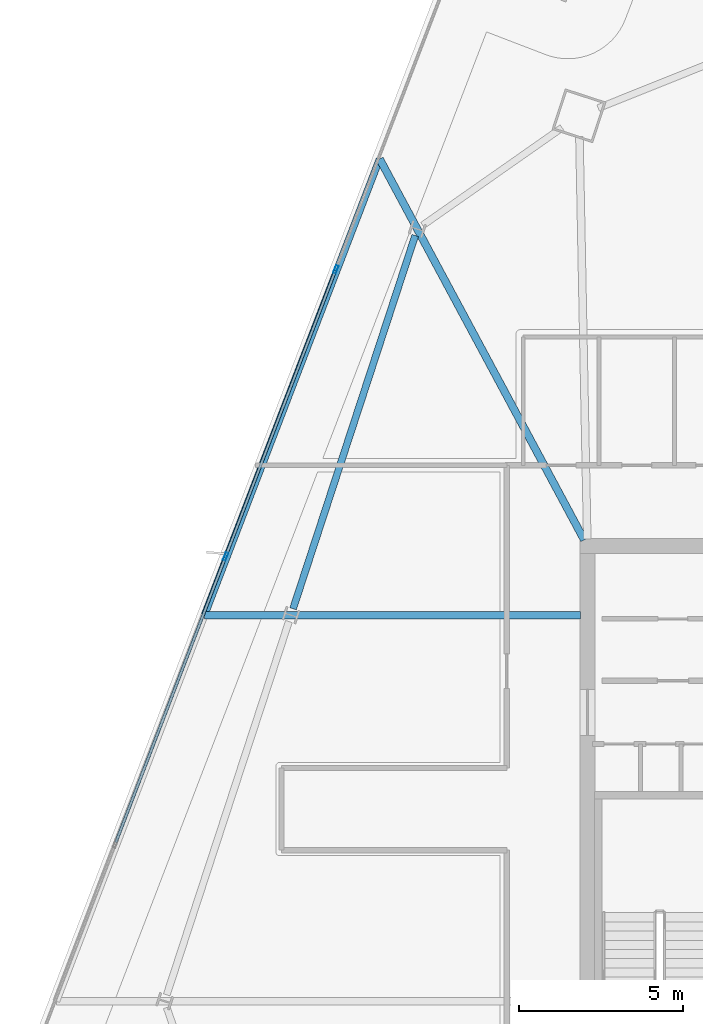
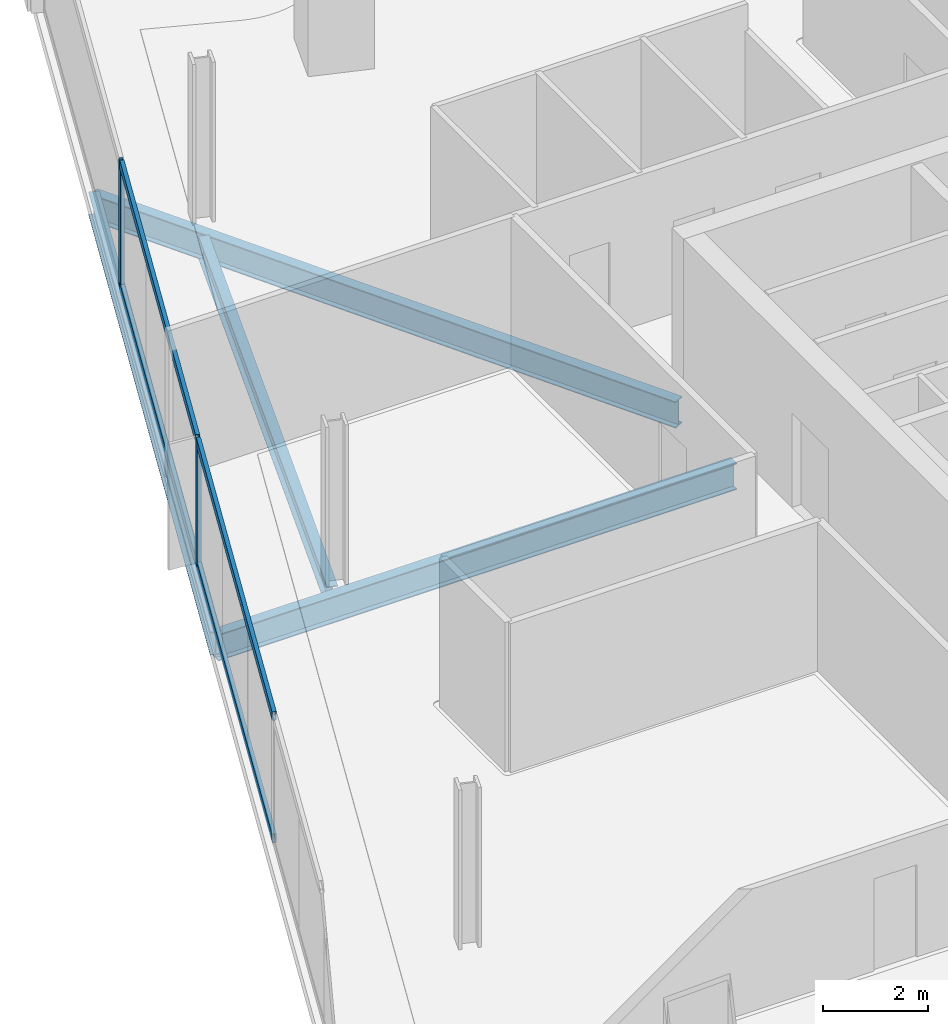
# One storey, part 12 of 27: 6 members, 4 beams, 1 element without a shape of its own.
"""IFC4 building model written with IfcOpenShell, lengths in metres."""

import ifcopenshell
import ifcopenshell.guid

model = None  # the IFC model being written
_history = None  # IfcOwnerHistory: only IFC2X3 demands one
_inside = {}  # id of a spatial element -> (the spatial element, [elements in it])
_under = {}  # id of a project, library or spatial element -> (it, [spatial elements below it])
_declared = {}  # id of a project -> (the project, [libraries it declares])
_typed = {}  # id of a type object -> (the type object, [elements of that type])
_made_of = {}  # id of a material, layer set ... -> (it, [elements and type objects made of it])


def new_model(schema):
    """Start an empty IFC model of exactly this schema.

    Asked for "IFC4X3", IfcOpenShell would pick the latest addendum, in which some entities
    have other attributes; the version numbers below select the first issue.
    IFC2X3 requires an IfcOwnerHistory on every rooted entity: one is made here for all.
    """
    global model, _history
    if schema == "IFC4X3":
        model = ifcopenshell.file(schema_version=(4, 3, 0, 0))
    else:
        model = ifcopenshell.file(schema=schema)
    _inside.clear()
    _under.clear()
    _declared.clear()
    _typed.clear()
    _made_of.clear()
    _history = None
    if model.schema == "IFC2X3":
        org = make("IfcOrganization", Name="unknown")
        user = make(
            "IfcPersonAndOrganization",
            ThePerson=make("IfcPerson", FamilyName="unknown"),
            TheOrganization=org,
        )
        app = make(
            "IfcApplication",
            ApplicationDeveloper=org,
            Version="unknown",
            ApplicationFullName="unknown",
            ApplicationIdentifier="unknown",
        )
        _history = make(
            "IfcOwnerHistory",
            OwningUser=user,
            OwningApplication=app,
            ChangeAction="ADDED",
            CreationDate=0,
        )
    return model


def make(cls, **values):
    """One entity of the class cls with the attributes given. An attribute that is None is left unset."""
    return model.create_entity(
        cls, **{name: value for name, value in values.items() if value is not None}
    )


def rooted(cls, **values):
    """An entity with a GlobalId (a new one), such as an element, a storey or a relation."""
    return make(cls, GlobalId=ifcopenshell.guid.new(), OwnerHistory=_history, **values)


def si_unit(unit_type, name, prefix=None):
    """IfcSIUnit, for example si_unit("LENGTHUNIT", "METRE", prefix="MILLI")."""
    return make("IfcSIUnit", UnitType=unit_type, Prefix=prefix, Name=name)


def assignment(units):
    """IfcUnitAssignment: the units of a project."""
    return None if units is None else make("IfcUnitAssignment", Units=units)


def point(xyz):
    """IfcCartesianPoint."""
    return None if xyz is None else make("IfcCartesianPoint", Coordinates=xyz)


def direction(xyz):
    """IfcDirection."""
    return None if xyz is None else make("IfcDirection", DirectionRatios=xyz)


def frame(location, z_axis=None, x_axis=None):
    """IfcAxis2Placement3D, a coordinate frame: its origin and axes. An axis left out is left unset."""
    return make(
        "IfcAxis2Placement3D",
        Location=point(location),
        Axis=direction(z_axis),
        RefDirection=direction(x_axis),
    )


def frame_2d(location, x_axis=None):
    """IfcAxis2Placement2D, a coordinate frame in the plane: its origin and x axis."""
    return make(
        "IfcAxis2Placement2D", Location=point(location), RefDirection=direction(x_axis)
    )


def origin():
    """The frame at (0, 0, 0) with its axes left unset."""
    return frame((0.0, 0.0, 0.0))


def origin_2d():
    """The frame at (0, 0) in the plane with its x axis left unset."""
    return frame_2d((0.0, 0.0))


def place(relative_to, where):
    """IfcLocalPlacement: puts the frame where relative to a parent placement (None: the world)."""
    return make(
        "IfcLocalPlacement", PlacementRelTo=relative_to, RelativePlacement=where
    )


def context(
    kind, dimensions, precision=None, world=None, true_north=None, identifier=None
):
    """IfcGeometricRepresentationContext, for example the 3D "Model" context."""
    return make(
        "IfcGeometricRepresentationContext",
        ContextIdentifier=identifier,
        ContextType=kind,
        CoordinateSpaceDimension=dimensions,
        Precision=precision,
        WorldCoordinateSystem=world,
        TrueNorth=true_north,
    )


def subcontext(parent, identifier, kind, view, scale=None):
    """IfcGeometricRepresentationSubContext, for example "Body" below "Model"."""
    return make(
        "IfcGeometricRepresentationSubContext",
        ContextIdentifier=identifier,
        ContextType=kind,
        ParentContext=parent,
        TargetScale=scale,
        TargetView=view,
    )


def project(units=None, contexts=None):
    """IfcProject with its units and contexts."""
    return rooted(
        "IfcProject",
        Name="project",
        RepresentationContexts=contexts,
        UnitsInContext=assignment(units),
    )


def spatial(cls, under=None, at=None, **own):
    """A site, building, storey or space (cls), placed at a placement, below another one or the project."""
    s = rooted(cls, ObjectPlacement=at, **own)
    if under is not None:
        _under.setdefault(under.id(), (under, []))[1].append(s)
    return s


def profile(cls, at=None, kind="AREA", **sizes):
    """A parametric profile (cls). Its sizes go by their IFC names, for example OverallWidth=200.0."""
    return make(cls, ProfileType=kind, Position=at, **sizes)


def hollow_rectangle(**sizes):
    """IfcRectangleHollowProfileDef."""
    return profile("IfcRectangleHollowProfileDef", **sizes)


def i_section(**sizes):
    """IfcIShapeProfileDef."""
    return profile("IfcIShapeProfileDef", **sizes)


def extrude(swept, where, along, depth):
    """IfcExtrudedAreaSolid: the profile swept, set in the frame where, extruded along a direction by depth."""
    return make(
        "IfcExtrudedAreaSolid",
        SweptArea=swept,
        Position=where,
        ExtrudedDirection=direction(along),
        Depth=depth,
    )


def shape(context_of_items, identifier, shape_type, items):
    """IfcShapeRepresentation: the items that make up one representation, for example the "Body"."""
    return make(
        "IfcShapeRepresentation",
        ContextOfItems=context_of_items,
        RepresentationIdentifier=identifier,
        RepresentationType=shape_type,
        Items=items,
    )


def material(Name=None, Category=None):
    """IfcMaterial."""
    return make("IfcMaterial", Name=Name, Category=Category)


def material_profile(
    of_material, cross_section, Name=None, Category=None, Priority=None
):
    """IfcMaterialProfile: a cross section and its material."""
    return make(
        "IfcMaterialProfile",
        Name=Name,
        Material=of_material,
        Profile=cross_section,
        Priority=Priority,
        Category=Category,
    )


def profile_set(profiles, Name=None, composite=None):
    """IfcMaterialProfileSet."""
    return make(
        "IfcMaterialProfileSet",
        Name=Name,
        MaterialProfiles=profiles,
        CompositeProfile=composite,
    )


def made_of(thing, what):
    """Note that an element or type object is made of a material, layer set ...; save() writes the relation."""
    if what is not None:
        _made_of.setdefault(what.id(), (what, []))[1].append(thing)
    return thing


def type_object(cls, material=None, **own):
    """A type object (cls), such as IfcWallType, which elements share."""
    return made_of(rooted(cls, **own), material)


def element(
    cls,
    number,
    at=None,
    inside=None,
    cuts=None,
    type_object=None,
    material=None,
    context=None,
    identifier="Body",
    shape_type=None,
    held_by="IfcProductDefinitionShape",
    body=None,
    shapes=None,
    **own,
):
    """One element of the class cls, such as IfcWall. Its Tag is "e" and its number.

    at: its placement. inside: the storey or other place that contains it. cuts: it is an
    opening in that element (IfcRelVoidsElement). A single representation is given by context,
    identifier, shape_type and body (its items); several are given by shapes. held_by: the class
    of the entity that holds the representations. save() writes the other relations.
    """
    e = rooted(cls, Tag="e%d" % number, ObjectPlacement=at, **own)
    if body is not None:
        shapes = [shape(context, identifier, shape_type, body)]
    if shapes is not None:
        e.Representation = make(held_by, Representations=shapes)
    if inside is not None:
        _inside.setdefault(inside.id(), (inside, []))[1].append(e)
    if cuts is not None:
        rooted(
            "IfcRelVoidsElement", RelatingBuildingElement=cuts, RelatedOpeningElement=e
        )
    if type_object is not None:
        _typed.setdefault(type_object.id(), (type_object, []))[1].append(e)
    return made_of(e, material)


def aggregate(whole, parts):
    """IfcRelAggregates: a whole, such as a stair, and the parts it consists of."""
    return rooted("IfcRelAggregates", RelatingObject=whole, RelatedObjects=parts)


def save(model, path):
    """Write the relations noted so far, then the file.

    IfcRelAggregates (storeys below a building ...), IfcRelContainedInSpatialStructure (elements
    in a storey), IfcRelDefinesByType, IfcRelAssociatesMaterial and IfcRelDeclares: one each for
    every whole, place, type object, material and project.
    """
    for whole, parts in _under.values():
        aggregate(whole, parts)
    for where, things in _inside.values():
        rooted(
            "IfcRelContainedInSpatialStructure",
            RelatedElements=things,
            RelatingStructure=where,
        )
    for kind, things in _typed.values():
        rooted("IfcRelDefinesByType", RelatedObjects=things, RelatingType=kind)
    for what, things in _made_of.values():
        rooted("IfcRelAssociatesMaterial", RelatedObjects=things, RelatingMaterial=what)
    for by, libraries in _declared.values():
        rooted("IfcRelDeclares", RelatingContext=by, RelatedDefinitions=libraries)
    model.write(path)


model = new_model("IFC4")

# Units and contexts
model_context = context("Model", 3, precision=1e-05, world=origin(), true_north=direction((0.0, 1.0)))
body_context = subcontext(model_context, "Body", "Model", "MODEL_VIEW")
ifc_project = project(units=[si_unit("LENGTHUNIT", "METRE"), si_unit("AREAUNIT", "SQUARE_METRE"), si_unit("VOLUMEUNIT", "CUBIC_METRE"), si_unit("PLANEANGLEUNIT", "RADIAN"), si_unit("MASSUNIT", "GRAM", prefix="KILO")], contexts=[model_context])

# Site, building, storey
site_placement = place(None, origin())
site = spatial("IfcSite", under=ifc_project, at=site_placement, CompositionType="ELEMENT")
building_placement = place(site_placement, origin())
building = spatial("IfcBuilding", under=site, at=building_placement, Name="Haldenkirk Collegiate Tower", CompositionType="ELEMENT")
storey_placement = place(building_placement, frame((0.0, 0.0, 259.949951171875)))
storey = spatial("IfcBuildingStorey", under=building, at=storey_placement, Name="L65", CompositionType="ELEMENT", Elevation=259.949951171875)

# Beams
ifc_material_1 = material(Name="Steel ASTM A992 Grade 50", Category="steel")
ifc_material_profile_1 = material_profile(ifc_material_1, i_section(OverallWidth=0.22998046875, OverallDepth=0.616943359375, WebThickness=0.01318359375, FlangeThickness=0.022216796875, at=origin_2d()), Name="W24X94")
ifc_profile_set_1 = profile_set([ifc_material_profile_1], Name="Steel ASTM A992 Grade 50")
beam_type_1 = type_object("IfcBeamType", Name="BM-GIRDER-W24X94", PredefinedType="BEAM", material=ifc_profile_set_1)
beam_1_placement = place(storey_placement, frame((20.684814453125, 45.76220703125, -0.578369140625), z_axis=(0.473040679352, -0.881040586851, 0.0), x_axis=(0.881040586851, 0.473040679352, 0.0)))
element("IfcBeam", 1, at=beam_1_placement, inside=storey, type_object=beam_type_1, Name="L65 primary floor girder 11", PredefinedType="BEAM", context=body_context, shape_type="SweptSolid", body=[
    extrude(i_section(OverallWidth=0.22998046875, OverallDepth=0.616943359375, WebThickness=0.01318359375, FlangeThickness=0.022216796875, at=origin_2d()), origin(), (0.0, 0.0, 1.0), 13.145263671875),
])
beam_2_placement = place(storey_placement, frame((15.361328125, 31.8935546875, -0.578369140625), z_axis=(1.0, 0.0, 0.0), x_axis=(0.0, 1.0, 0.0)))
element("IfcBeam", 2, at=beam_2_placement, inside=storey, type_object=beam_type_1, Name="L65 primary floor girder 12", PredefinedType="BEAM", context=body_context, shape_type="SweptSolid", body=[
    extrude(i_section(OverallWidth=0.22998046875, OverallDepth=0.616943359375, WebThickness=0.01318359375, FlangeThickness=0.022216796875, at=origin_2d()), origin(), (0.0, 0.0, 1.0), 11.43359375),
])
ifc_material_profile_2 = material_profile(ifc_material_1, i_section(OverallWidth=0.2099609375, OverallDepth=0.537109375, WebThickness=0.010986328125, FlangeThickness=0.017333984375, at=origin_2d()), Name="W21X68")
ifc_profile_set_2 = profile_set([ifc_material_profile_2], Name="Steel ASTM A992 Grade 50")
beam_type_2 = type_object("IfcBeamType", Name="BM-SPANDREL-W21X68", PredefinedType="SPANDREL", material=ifc_profile_set_2)
beam_3_placement = place(storey_placement, frame((21.76708984375, 43.436767578125, -0.538330078125), z_axis=(-0.311010188249, -0.950406577631, 0.0), x_axis=(0.950406577631, -0.311010188249, 0.0)))
element("IfcBeam", 3, at=beam_3_placement, inside=storey, type_object=beam_type_2, Name="L65 perimeter spandrel beam 10", PredefinedType="SPANDREL", context=body_context, shape_type="SweptSolid", body=[
    extrude(i_section(OverallWidth=0.2099609375, OverallDepth=0.537109375, WebThickness=0.010986328125, FlangeThickness=0.017333984375, at=origin_2d()), origin(), (0.0, 0.0, 1.0), 11.94287109375),
])
beam_4_placement = place(storey_placement, frame((20.684814453125, 45.76220703125, -0.538330078125), z_axis=(-0.358356771473, -0.93358471728, 0.0), x_axis=(0.93358471728, -0.358356771473, 0.0)))
element("IfcBeam", 4, at=beam_4_placement, inside=storey, type_object=beam_type_2, Name="L65 outer facade edge beam 3A", PredefinedType="SPANDREL", context=body_context, shape_type="SweptSolid", body=[
    extrude(i_section(OverallWidth=0.2099609375, OverallDepth=0.537109375, WebThickness=0.010986328125, FlangeThickness=0.017333984375, at=origin_2d()), origin(), (0.0, 0.0, 1.0), 14.855224609375),
])

# Curtain wall, members
ifc_material_2 = material(Name="Anodised architectural bronze aluminium", Category="aluminium")
curtain_wall_type = type_object("IfcCurtainWallType", Name="CW-SYS1B-CONVEX-HI", PredefinedType="USERDEFINED", material=ifc_material_2)
curtain_wall_placement = place(storey_placement, origin())
curtain_wall = element("IfcCurtainWall", 5, at=curtain_wall_placement, inside=storey, type_object=curtain_wall_type, Name="L65 Upper tower high-wind convex bronze unitised curtain wall", ObjectType="UNITISED CURTAIN WALL", PredefinedType="USERDEFINED")
ifc_material_profile_3 = material_profile(ifc_material_2, hollow_rectangle(XDim=0.0849609375, YDim=0.25, WallThickness=0.0048828125, at=origin_2d()), Name="CW-MUL-1B")
ifc_profile_set_3 = profile_set([ifc_material_profile_3], Name="Anodised architectural bronze aluminium")
member_type_1 = type_object("IfcMemberType", Name="CW-MUL-1B", PredefinedType="MULLION", material=ifc_profile_set_3)
member_1_placement = place(storey_placement, frame((16.002685546875, 33.67626953125, 0.0), z_axis=(0.0, 0.0, 1.0), x_axis=(-0.933580053116, 0.358368922235, 0.0)))
member_1 = element("IfcMember", 6, at=member_1_placement, type_object=member_type_1, Name="CW-1B mullion 3", PredefinedType="MULLION", context=body_context, shape_type="SweptSolid", body=[
    extrude(hollow_rectangle(XDim=0.0849609375, YDim=0.25, WallThickness=0.0048828125, at=origin_2d()), origin(), (0.0, 0.0, 1.0), 2.93798828125),
])
member_2_placement = place(storey_placement, frame((19.353515625, 42.4052734375, 0.0), z_axis=(0.0, 0.0, 1.0), x_axis=(-0.933580053116, 0.358368922235, 0.0)))
member_2 = element("IfcMember", 7, at=member_2_placement, type_object=member_type_1, Name="CW-1B mullion 4", PredefinedType="MULLION", context=body_context, shape_type="SweptSolid", body=[
    extrude(hollow_rectangle(XDim=0.0849609375, YDim=0.25, WallThickness=0.0048828125, at=origin_2d()), origin(), (0.0, 0.0, 1.0), 2.93798828125),
])
ifc_material_profile_4 = material_profile(ifc_material_2, hollow_rectangle(XDim=0.0849609375, YDim=0.199951171875, WallThickness=0.0048828125, at=origin_2d()), Name="CW-TRN-1B")
ifc_profile_set_4 = profile_set([ifc_material_profile_4], Name="Anodised architectural bronze aluminium")
member_type_2 = type_object("IfcMemberType", Name="CW-TRN-1B", PredefinedType="USERDEFINED", material=ifc_profile_set_4)
member_3_placement = place(storey_placement, frame((12.667236328125, 24.987060546875, 0.04248046875), z_axis=(0.358378628473, 0.933576327171, 0.0), x_axis=(-0.933576327171, 0.358378628473, 0.0)))
member_3 = element("IfcMember", 8, at=member_3_placement, type_object=member_type_2, Name="CW-1B transom 2.1", ObjectType="TRANSOM", PredefinedType="USERDEFINED", context=body_context, shape_type="SweptSolid", body=[
    extrude(hollow_rectangle(XDim=0.0849609375, YDim=0.199951171875, WallThickness=0.0048828125, at=origin_2d()), origin(), (0.0, 0.0, 1.0), 9.264892578125),
])
member_4_placement = place(storey_placement, frame((12.667236328125, 24.987060546875, 2.8955078125), z_axis=(0.358378628473, 0.933576327171, 0.0), x_axis=(-0.933576327171, 0.358378628473, 0.0)))
member_4 = element("IfcMember", 9, at=member_4_placement, type_object=member_type_2, Name="CW-1B transom 2.2", ObjectType="TRANSOM", PredefinedType="USERDEFINED", context=body_context, shape_type="SweptSolid", body=[
    extrude(hollow_rectangle(XDim=0.0849609375, YDim=0.199951171875, WallThickness=0.0048828125, at=origin_2d()), origin(), (0.0, 0.0, 1.0), 9.264892578125),
])
member_5_placement = place(storey_placement, frame((16.017822265625, 33.7158203125, 0.04248046875), z_axis=(0.358369812195, 0.933579711491, 0.0), x_axis=(-0.933579711491, 0.358369812195, 0.0)))
member_5 = element("IfcMember", 10, at=member_5_placement, type_object=member_type_2, Name="CW-1B transom 3.1", ObjectType="TRANSOM", PredefinedType="USERDEFINED", context=body_context, shape_type="SweptSolid", body=[
    extrude(hollow_rectangle(XDim=0.0849609375, YDim=0.199951171875, WallThickness=0.0048828125, at=origin_2d()), origin(), (0.0, 0.0, 1.0), 9.26513671875),
])
member_6_placement = place(storey_placement, frame((16.017822265625, 33.7158203125, 2.8955078125), z_axis=(0.358369812195, 0.933579711491, 0.0), x_axis=(-0.933579711491, 0.358369812195, 0.0)))
member_6 = element("IfcMember", 11, at=member_6_placement, type_object=member_type_2, Name="CW-1B transom 3.2", ObjectType="TRANSOM", PredefinedType="USERDEFINED", context=body_context, shape_type="SweptSolid", body=[
    extrude(hollow_rectangle(XDim=0.0849609375, YDim=0.199951171875, WallThickness=0.0048828125, at=origin_2d()), origin(), (0.0, 0.0, 1.0), 9.26513671875),
])
aggregate(curtain_wall, [member_1, member_2, member_3, member_4, member_5, member_6])

save(model, "model.ifc")
